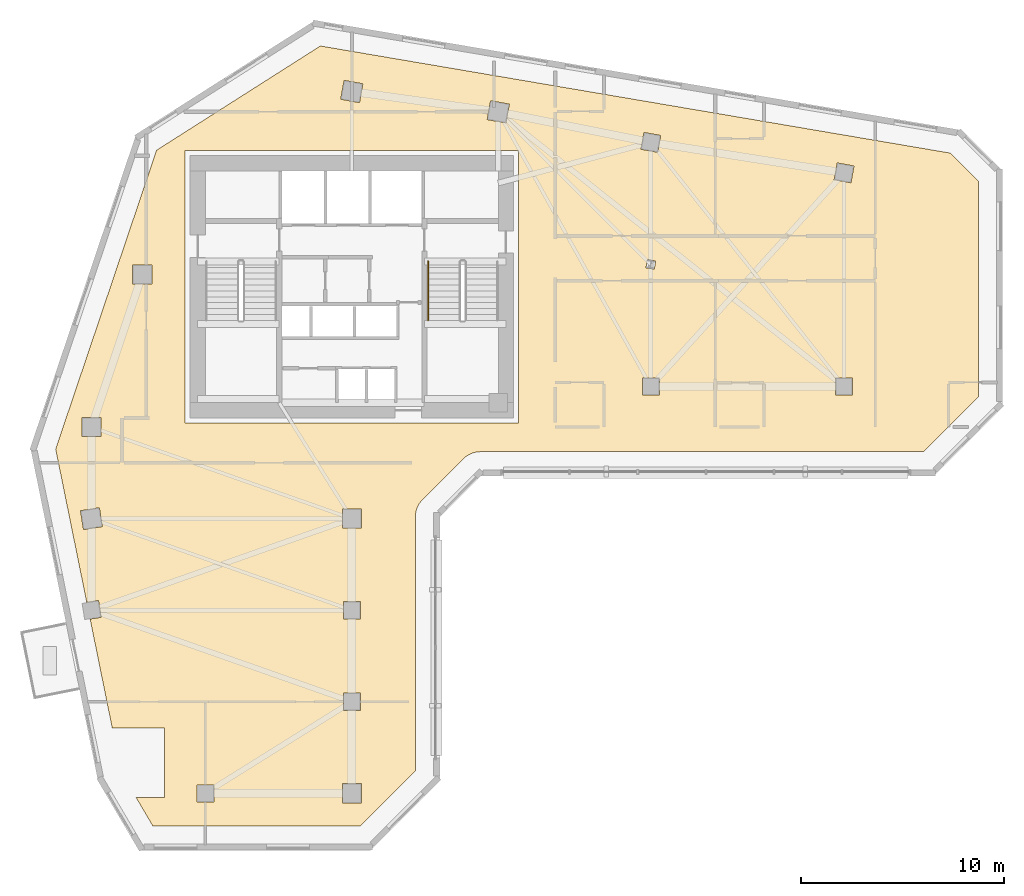
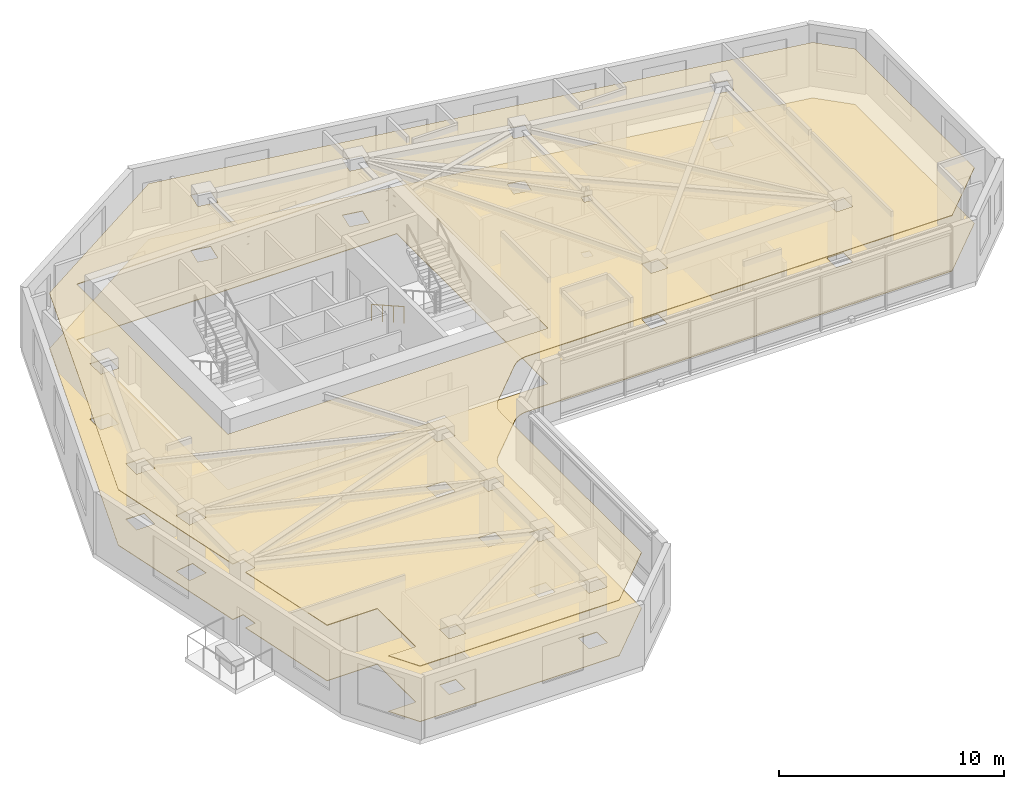
# One storey, part 10 of 11: 2 coverings, 1 railing.
"""IFC4 building model written with IfcOpenShell, lengths in metres."""

from ifc_helpers import new_model, si_unit, direction, frame, origin, origin_2d, place, context, subcontext, project, spatial, polyline, circle, outline, extrude, material, layer, layer_set, type_object, element, save


model = new_model("IFC4")

# Units and contexts
model_context = context("Model", 3, precision=1e-05, world=origin(), true_north=direction((0.0, 1.0)))
body_context = subcontext(model_context, "Body", "Model", "MODEL_VIEW")
ifc_project = project(units=[si_unit("LENGTHUNIT", "METRE"), si_unit("AREAUNIT", "SQUARE_METRE"), si_unit("VOLUMEUNIT", "CUBIC_METRE"), si_unit("PLANEANGLEUNIT", "RADIAN"), si_unit("MASSUNIT", "GRAM", prefix="KILO")], contexts=[model_context])

# Site, building, storey
site_placement = place(None, origin())
site = spatial("IfcSite", under=ifc_project, at=site_placement, CompositionType="ELEMENT")
building_placement = place(site_placement, origin())
building = spatial("IfcBuilding", under=site, at=building_placement, Name="Calvemar Wedge Station Tower", CompositionType="ELEMENT")
storey_placement = place(building_placement, frame((0.0, 0.0, 157.39990234375)))
storey = spatial("IfcBuildingStorey", under=building, at=storey_placement, Name="L39", CompositionType="ELEMENT", Elevation=157.39990234375)

# Coverings
ifc_material_1 = material(Name="Acoustic mineral fibre ceiling board")
ifc_layer_1 = layer(ifc_material_1, 0.0400390625)
ifc_layer_set_1 = layer_set([ifc_layer_1], Name="Acoustic mineral fibre ceiling board")
covering_type_1 = type_object("IfcCoveringType", Name="COV-CEIL-ACOUSTIC", PredefinedType="CEILING", material=ifc_layer_set_1)
covering_1_placement = place(storey_placement, frame((0.0, 0.0, 3.0)))
element("IfcCovering", 1, at=covering_1_placement, inside=storey, type_object=covering_type_1, Name="Storey L39 Acoustic Suspended Ceiling", PredefinedType="CEILING", context=body_context, shape_type="SweptSolid", body=[
    extrude(outline(polyline([(27.279541015625, 29.4404296875), (29.279541015625, 31.4404296875), (29.36669921875, 31.51953125), (29.461181640625, 31.58984375), (29.562255859375, 31.650390625), (29.668701171875, 31.70068359375), (29.77978515625, 31.740234375), (29.893798828125, 31.768798828125), (30.010498046875, 31.7861328125), (30.1279296875, 31.7919921875), (51.90283203125, 31.7919921875), (54.60009765625, 34.489013671875), (54.60009765625, 45.094970703125), (53.221923828125, 46.47314453125), (22.25439453125, 51.739501953125), (14.201416015625, 46.614990234375), (9.240234375, 31.922119140625), (10.76904296875, 24.388427734375), (11.348388671875, 24.481201171875), (11.481201171875, 23.651611328125), (10.936279296875, 23.564453125), (12.02490234375, 18.199951171875), (14.60009765625, 18.199951171875), (14.60009765625, 14.800048828125), (13.19091796875, 14.800048828125), (14.014404296875, 13.39990234375), (24.23095703125, 13.39990234375), (26.927978515625, 16.09716796875), (26.927978515625, 28.592041015625), (26.933837890625, 28.709716796875), (26.951171875, 28.826171875), (26.979736328125, 28.940185546875), (27.019287109375, 29.05126953125), (27.069580078125, 29.15771484375), (27.130126953125, 29.2587890625), (27.200439453125, 29.353271484375), (27.279541015625, 29.4404296875)]), holes=[polyline([(15.60009765625, 46.60009765625), (32.0, 46.60009765625), (32.0, 33.199951171875), (15.60009765625, 33.199951171875), (15.60009765625, 46.60009765625)]), polyline([(10.530029296875, 32.530029296875), (10.530029296875, 33.469970703125), (11.469970703125, 33.469970703125), (11.469970703125, 32.530029296875), (10.530029296875, 32.530029296875)]), polyline([(13.030029296875, 40.969970703125), (13.969970703125, 40.969970703125), (13.969970703125, 40.030029296875), (13.030029296875, 40.030029296875), (13.030029296875, 40.969970703125)]), polyline([(24.345703125, 49.87939453125), (24.17919921875, 48.9541015625), (23.254150390625, 49.12060546875), (23.420654296875, 50.0458984375), (24.345703125, 49.87939453125)]), polyline([(31.37939453125, 47.9541015625), (30.4541015625, 48.12060546875), (30.62060546875, 49.0458984375), (31.5458984375, 48.87939453125), (31.37939453125, 47.9541015625)]), polyline([(38.01220703125, 46.660888671875), (38.160888671875, 47.48779296875), (38.98779296875, 47.339111328125), (38.839111328125, 46.51220703125), (38.01220703125, 46.660888671875)]), polyline([(47.660888671875, 45.98779296875), (48.48779296875, 45.839111328125), (48.339111328125, 45.01220703125), (47.51220703125, 45.160888671875), (47.660888671875, 45.98779296875)]), polyline([(38.919921875, 35.419921875), (38.919921875, 34.580078125), (38.080078125, 34.580078125), (38.080078125, 35.419921875), (38.919921875, 35.419921875)]), polyline([(48.419921875, 34.580078125), (47.580078125, 34.580078125), (47.580078125, 35.419921875), (48.419921875, 35.419921875), (48.419921875, 34.580078125)]), polyline([(38.259765625, 40.833984375), (38.332763671875, 41.239501953125), (38.740234375, 41.166015625), (38.667236328125, 40.760498046875), (38.259765625, 40.833984375)]), polyline([(11.389892578125, 29.038330078125), (11.538330078125, 28.110107421875), (10.610107421875, 27.961669921875), (10.461669921875, 28.889892578125), (11.389892578125, 29.038330078125)]), polyline([(24.27001953125, 28.030029296875), (23.330078125, 28.030029296875), (23.330078125, 28.969970703125), (24.27001953125, 28.969970703125), (24.27001953125, 28.030029296875)]), polyline([(23.3798828125, 23.580078125), (23.3798828125, 24.419921875), (24.219970703125, 24.419921875), (24.219970703125, 23.580078125), (23.3798828125, 23.580078125)]), polyline([(23.3798828125, 19.919921875), (24.219970703125, 19.919921875), (24.219970703125, 19.080078125), (23.3798828125, 19.080078125), (23.3798828125, 19.919921875)]), polyline([(24.27001953125, 15.469970703125), (24.27001953125, 14.530029296875), (23.330078125, 14.530029296875), (23.330078125, 15.469970703125), (24.27001953125, 15.469970703125)]), polyline([(17.02001953125, 14.580078125), (16.179931640625, 14.580078125), (16.179931640625, 15.419921875), (17.02001953125, 15.419921875), (17.02001953125, 14.580078125)])]), origin(), (0.0, 0.0, 1.0), 0.0400390625),
])
ifc_material_2 = material(Name="Honed coastal granite stone tile", Category="masonry")
ifc_layer_2 = layer(ifc_material_2, 0.030029296875)
ifc_layer_set_2 = layer_set([ifc_layer_2], Name="Honed coastal granite stone tile")
covering_type_2 = type_object("IfcCoveringType", Name="COV-FLR-STONE", PredefinedType="FLOORING", material=ifc_layer_set_2)
covering_2_placement = place(storey_placement, origin())
element("IfcCovering", 2, at=covering_2_placement, inside=storey, type_object=covering_type_2, Name="Storey L39 Architectural Floor Finish", PredefinedType="FLOORING", context=body_context, shape_type="SweptSolid", body=[
    extrude(outline(polyline([(27.279541015625, 29.4404296875), (29.279541015625, 31.4404296875), (29.36669921875, 31.51953125), (29.461181640625, 31.58984375), (29.562255859375, 31.650390625), (29.668701171875, 31.70068359375), (29.77978515625, 31.740234375), (29.893798828125, 31.768798828125), (30.010498046875, 31.7861328125), (30.1279296875, 31.7919921875), (51.90283203125, 31.7919921875), (54.60009765625, 34.489013671875), (54.60009765625, 45.094970703125), (53.221923828125, 46.47314453125), (22.25439453125, 51.739501953125), (14.201416015625, 46.614990234375), (9.240234375, 31.922119140625), (10.76904296875, 24.388427734375), (11.348388671875, 24.481201171875), (11.481201171875, 23.651611328125), (10.936279296875, 23.564453125), (12.02490234375, 18.199951171875), (14.60009765625, 18.199951171875), (14.60009765625, 14.800048828125), (13.19091796875, 14.800048828125), (14.014404296875, 13.39990234375), (24.23095703125, 13.39990234375), (26.927978515625, 16.09716796875), (26.927978515625, 28.592041015625), (26.933837890625, 28.709716796875), (26.951171875, 28.826171875), (26.979736328125, 28.940185546875), (27.019287109375, 29.05126953125), (27.069580078125, 29.15771484375), (27.130126953125, 29.2587890625), (27.200439453125, 29.353271484375), (27.279541015625, 29.4404296875)]), holes=[polyline([(15.60009765625, 46.60009765625), (32.0, 46.60009765625), (32.0, 33.199951171875), (15.60009765625, 33.199951171875), (15.60009765625, 46.60009765625)]), polyline([(10.530029296875, 32.530029296875), (10.530029296875, 33.469970703125), (11.469970703125, 33.469970703125), (11.469970703125, 32.530029296875), (10.530029296875, 32.530029296875)]), polyline([(13.030029296875, 40.969970703125), (13.969970703125, 40.969970703125), (13.969970703125, 40.030029296875), (13.030029296875, 40.030029296875), (13.030029296875, 40.969970703125)]), polyline([(24.345703125, 49.87939453125), (24.17919921875, 48.9541015625), (23.254150390625, 49.12060546875), (23.420654296875, 50.0458984375), (24.345703125, 49.87939453125)]), polyline([(31.37939453125, 47.9541015625), (30.4541015625, 48.12060546875), (30.62060546875, 49.0458984375), (31.5458984375, 48.87939453125), (31.37939453125, 47.9541015625)]), polyline([(38.01220703125, 46.660888671875), (38.160888671875, 47.48779296875), (38.98779296875, 47.339111328125), (38.839111328125, 46.51220703125), (38.01220703125, 46.660888671875)]), polyline([(47.660888671875, 45.98779296875), (48.48779296875, 45.839111328125), (48.339111328125, 45.01220703125), (47.51220703125, 45.160888671875), (47.660888671875, 45.98779296875)]), polyline([(38.919921875, 35.419921875), (38.919921875, 34.580078125), (38.080078125, 34.580078125), (38.080078125, 35.419921875), (38.919921875, 35.419921875)]), polyline([(48.419921875, 34.580078125), (47.580078125, 34.580078125), (47.580078125, 35.419921875), (48.419921875, 35.419921875), (48.419921875, 34.580078125)]), polyline([(38.259765625, 40.833984375), (38.332763671875, 41.239501953125), (38.740234375, 41.166015625), (38.667236328125, 40.760498046875), (38.259765625, 40.833984375)]), polyline([(11.389892578125, 29.038330078125), (11.538330078125, 28.110107421875), (10.610107421875, 27.961669921875), (10.461669921875, 28.889892578125), (11.389892578125, 29.038330078125)]), polyline([(24.27001953125, 28.030029296875), (23.330078125, 28.030029296875), (23.330078125, 28.969970703125), (24.27001953125, 28.969970703125), (24.27001953125, 28.030029296875)]), polyline([(23.3798828125, 23.580078125), (23.3798828125, 24.419921875), (24.219970703125, 24.419921875), (24.219970703125, 23.580078125), (23.3798828125, 23.580078125)]), polyline([(23.3798828125, 19.919921875), (24.219970703125, 19.919921875), (24.219970703125, 19.080078125), (23.3798828125, 19.080078125), (23.3798828125, 19.919921875)]), polyline([(24.27001953125, 15.469970703125), (24.27001953125, 14.530029296875), (23.330078125, 14.530029296875), (23.330078125, 15.469970703125), (24.27001953125, 15.469970703125)]), polyline([(17.02001953125, 14.580078125), (16.179931640625, 14.580078125), (16.179931640625, 15.419921875), (17.02001953125, 15.419921875), (17.02001953125, 14.580078125)])]), origin(), (0.0, 0.0, 1.0), 0.030029296875),
])

# Railing
ifc_material_3 = material(Name="Stainless steel AISI 316L", Category="steel")
railing_type = type_object("IfcRailingType", Name="RL-HANDRAIL-920", PredefinedType="HANDRAIL", material=ifc_material_3)
railing_placement = place(storey_placement, frame((27.550048828125, 41.14990234375, 0.163818359375)))
element("IfcRailing", 3, at=railing_placement, inside=storey, type_object=railing_type, Name="L39 ST-C2 stair handrail 1", PredefinedType="HANDRAIL", context=body_context, shape_type="SweptSolid", body=[
    extrude(circle(Radius=0.02392578125, at=origin_2d()), frame((0.0, 0.0, 0.89599609375), z_axis=(0.0, -0.870928581787, 0.491409610636), x_axis=(1.0, 0.0, 0.0)), (0.0, 0.0, 1.0), 3.32958984375),
    extrude(circle(Radius=0.02099609375, at=origin_2d()), origin(), (0.0, 0.0, 1.0), 0.871826171875),
    extrude(circle(Radius=0.02099609375, at=origin_2d()), frame((0.0, -0.966552734375, 0.54541015625)), (0.0, 0.0, 1.0), 0.871826171875),
    extrude(circle(Radius=0.02099609375, at=origin_2d()), frame((0.0, -1.933349609375, 1.0908203125)), (0.0, 0.0, 1.0), 0.871826171875),
    extrude(circle(Radius=0.02099609375, at=origin_2d()), frame((0.0, -2.89990234375, 1.63623046875)), (0.0, 0.0, 1.0), 0.871826171875),
])

save(model, "model.ifc")
